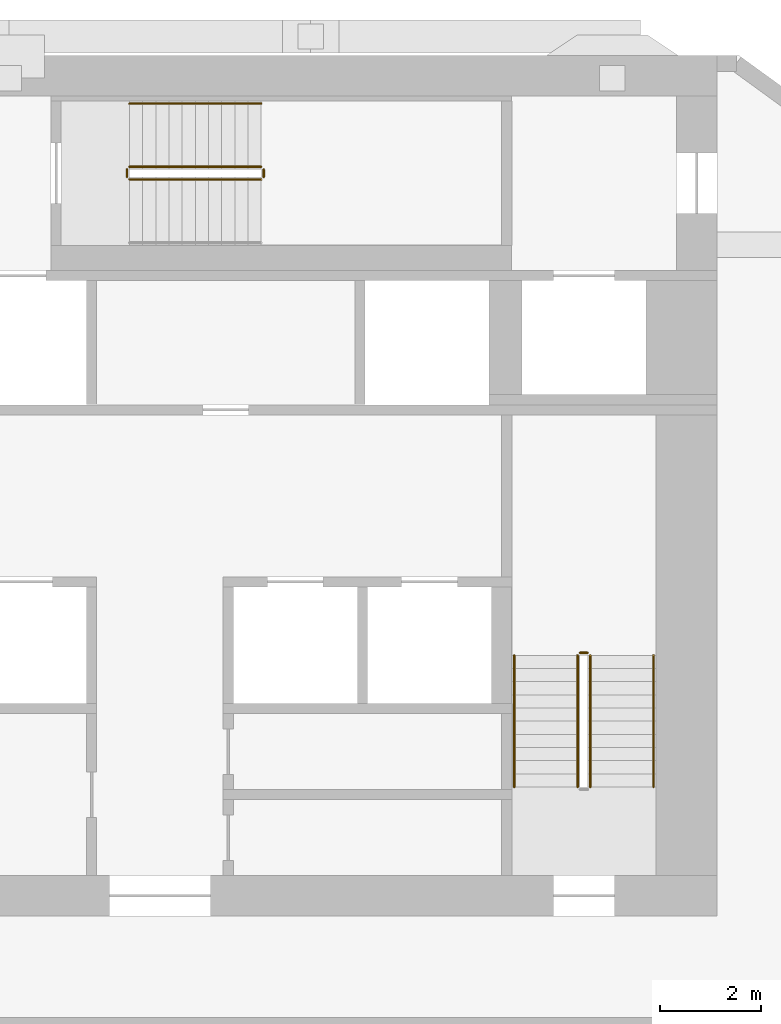
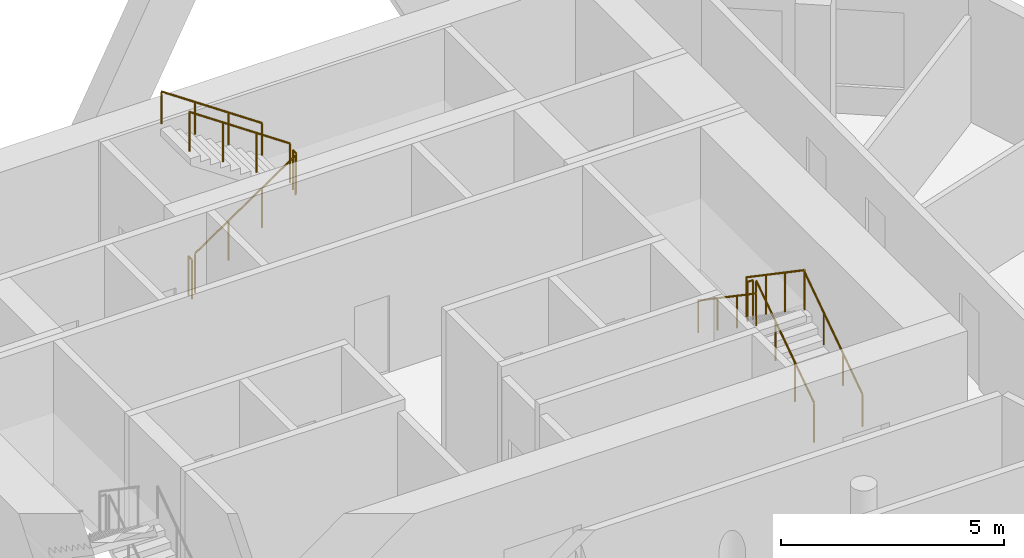
# One storey, part 10 of 10: 10 railings.
"""IFC4 building model written with IfcOpenShell, lengths in metres."""

from ifc_helpers import new_model, si_unit, direction, frame, origin, origin_2d, place, context, subcontext, project, spatial, circle, extrude, material, type_object, element, save


model = new_model("IFC4")

# Units and contexts
model_context = context("Model", 3, precision=1e-05, world=origin(), true_north=direction((0.0, 1.0)))
body_context = subcontext(model_context, "Body", "Model", "MODEL_VIEW")
ifc_project = project(units=[si_unit("LENGTHUNIT", "METRE"), si_unit("AREAUNIT", "SQUARE_METRE"), si_unit("VOLUMEUNIT", "CUBIC_METRE"), si_unit("PLANEANGLEUNIT", "RADIAN"), si_unit("MASSUNIT", "GRAM", prefix="KILO")], contexts=[model_context])

# Site, building, storey
site_placement = place(None, origin())
site = spatial("IfcSite", under=ifc_project, at=site_placement, CompositionType="ELEMENT")
building_placement = place(site_placement, origin())
building = spatial("IfcBuilding", under=site, at=building_placement, Name="White Candle Pilgrim Tower", CompositionType="ELEMENT")
storey_placement = place(building_placement, frame((0.0, 0.0, 219.89990234375)))
storey = spatial("IfcBuildingStorey", under=building, at=storey_placement, Name="L51", CompositionType="ELEMENT", Elevation=219.89990234375)

# Railings
ifc_material = material(Name="Stainless steel", Category="steel")
railing_type_1 = type_object("IfcRailingType", Name="Stair guard stainless steel 1100 mm", PredefinedType="GUARDRAIL", material=ifc_material)
railing_1_placement = place(storey_placement, frame((78.5, 73.550048828125, 0.177490234375)))
element("IfcRailing", 1, at=railing_1_placement, inside=storey, type_object=railing_type_1, Name="L51 ST2 stair guard 1", PredefinedType="GUARDRAIL", context=body_context, shape_type="SweptSolid", body=[
    extrude(circle(Radius=0.02392578125, at=origin_2d()), frame((0.0, 0.0, 1.076171875), z_axis=(0.0, 0.826215852431, 0.563353676824), x_axis=(-1.0, 0.0, 0.0)), (0.0, 0.0, 1.0), 3.146728515625),
    extrude(circle(Radius=0.02099609375, at=origin_2d()), origin(), (0.0, 0.0, 1.0), 1.052001953125),
    extrude(circle(Radius=0.02099609375, at=origin_2d()), frame((0.0, 0.86669921875, 0.5908203125)), (0.0, 0.0, 1.0), 1.052001953125),
    extrude(circle(Radius=0.02099609375, at=origin_2d()), frame((0.0, 1.733154296875, 1.181884765625)), (0.0, 0.0, 1.0), 1.052001953125),
    extrude(circle(Radius=0.02099609375, at=origin_2d()), frame((0.0, 2.599853515625, 1.772705078125)), (0.0, 0.0, 1.0), 1.052001953125),
])
railing_2_placement = place(storey_placement, frame((78.449951171875, 76.199951171875, 1.9501953125)))
element("IfcRailing", 2, at=railing_2_placement, inside=storey, type_object=railing_type_1, Name="L51 ST2 stair guard 2", PredefinedType="GUARDRAIL", context=body_context, shape_type="SweptSolid", body=[
    extrude(circle(Radius=0.02392578125, at=origin_2d()), frame((0.0, 0.0, 1.076171875), z_axis=(-1.0, 0.0, 0.0), x_axis=(0.0, -1.0, 0.0)), (0.0, 0.0, 1.0), 0.14990234375),
    extrude(circle(Radius=0.02099609375, at=origin_2d()), origin(), (0.0, 0.0, 1.0), 1.052001953125),
    extrude(circle(Radius=0.02099609375, at=origin_2d()), frame((-0.14990234375, 0.0, 0.0)), (0.0, 0.0, 1.0), 1.052001953125),
])
railing_3_placement = place(storey_placement, frame((78.25, 76.14990234375, 2.12744140625)))
element("IfcRailing", 3, at=railing_3_placement, inside=storey, type_object=railing_type_1, Name="L51 ST2 stair guard 3", PredefinedType="GUARDRAIL", context=body_context, shape_type="SweptSolid", body=[
    extrude(circle(Radius=0.02392578125, at=origin_2d()), frame((0.0, 0.0, 1.076171875), z_axis=(0.0, -0.826215852431, 0.563353676824), x_axis=(1.0, 0.0, 0.0)), (0.0, 0.0, 1.0), 3.146728515625),
    extrude(circle(Radius=0.02099609375, at=origin_2d()), origin(), (0.0, 0.0, 1.0), 1.052001953125),
    extrude(circle(Radius=0.02099609375, at=origin_2d()), frame((0.0, -0.86669921875, 0.5908203125)), (0.0, 0.0, 1.0), 1.052001953125),
    extrude(circle(Radius=0.02099609375, at=origin_2d()), frame((0.0, -1.733154296875, 1.181884765625)), (0.0, 0.0, 1.0), 1.052001953125),
    extrude(circle(Radius=0.02099609375, at=origin_2d()), frame((0.0, -2.599853515625, 1.772705078125)), (0.0, 0.0, 1.0), 1.052001953125),
])
railing_4_placement = place(storey_placement, frame((69.39990234375, 85.550048828125, 0.177490234375)))
element("IfcRailing", 4, at=railing_4_placement, inside=storey, type_object=railing_type_1, Name="L51 ST3 stair guard 1", PredefinedType="GUARDRAIL", context=body_context, shape_type="SweptSolid", body=[
    extrude(circle(Radius=0.02392578125, at=origin_2d()), frame((0.0, 0.0, 1.076171875), z_axis=(0.826240473404, 0.0, 0.563317565952), x_axis=(0.0, 1.0, 0.0)), (0.0, 0.0, 1.0), 3.14697265625),
    extrude(circle(Radius=0.02099609375, at=origin_2d()), origin(), (0.0, 0.0, 1.0), 1.052001953125),
    extrude(circle(Radius=0.02099609375, at=origin_2d()), frame((0.86669921875, 0.0, 0.5908203125)), (0.0, 0.0, 1.0), 1.052001953125),
    extrude(circle(Radius=0.02099609375, at=origin_2d()), frame((1.7333984375, 0.0, 1.181884765625)), (0.0, 0.0, 1.0), 1.052001953125),
    extrude(circle(Radius=0.02099609375, at=origin_2d()), frame((2.60009765625, 0.0, 1.772705078125)), (0.0, 0.0, 1.0), 1.052001953125),
])
railing_5_placement = place(storey_placement, frame((72.050048828125, 85.60009765625, 1.9501953125)))
element("IfcRailing", 5, at=railing_5_placement, inside=storey, type_object=railing_type_1, Name="L51 ST3 stair guard 2", PredefinedType="GUARDRAIL", context=body_context, shape_type="SweptSolid", body=[
    extrude(circle(Radius=0.02392578125, at=origin_2d()), frame((0.0, 0.0, 1.076171875), z_axis=(0.0, 1.0, 0.0), x_axis=(-1.0, 0.0, 0.0)), (0.0, 0.0, 1.0), 0.14990234375),
    extrude(circle(Radius=0.02099609375, at=origin_2d()), origin(), (0.0, 0.0, 1.0), 1.052001953125),
    extrude(circle(Radius=0.02099609375, at=origin_2d()), frame((0.0, 0.14990234375, 0.0)), (0.0, 0.0, 1.0), 1.052001953125),
])
railing_6_placement = place(storey_placement, frame((72.0, 85.800048828125, 2.12744140625)))
element("IfcRailing", 6, at=railing_6_placement, inside=storey, type_object=railing_type_1, Name="L51 ST3 stair guard 3", PredefinedType="GUARDRAIL", context=body_context, shape_type="SweptSolid", body=[
    extrude(circle(Radius=0.02392578125, at=origin_2d()), frame((0.0, 0.0, 1.076171875), z_axis=(-0.826240473404, 0.0, 0.563317565952), x_axis=(0.0, -1.0, 0.0)), (0.0, 0.0, 1.0), 3.14697265625),
    extrude(circle(Radius=0.02099609375, at=origin_2d()), origin(), (0.0, 0.0, 1.0), 1.052001953125),
    extrude(circle(Radius=0.02099609375, at=origin_2d()), frame((-0.86669921875, 0.0, 0.5908203125)), (0.0, 0.0, 1.0), 1.052001953125),
    extrude(circle(Radius=0.02099609375, at=origin_2d()), frame((-1.7333984375, 0.0, 1.181884765625)), (0.0, 0.0, 1.0), 1.052001953125),
    extrude(circle(Radius=0.02099609375, at=origin_2d()), frame((-2.60009765625, 0.0, 1.772705078125)), (0.0, 0.0, 1.0), 1.052001953125),
])
railing_7_placement = place(storey_placement, frame((69.35009765625, 85.60009765625, 0.0)))
element("IfcRailing", 7, at=railing_7_placement, inside=storey, type_object=railing_type_1, Name="L51 ST3 stair guard 4", PredefinedType="GUARDRAIL", context=body_context, shape_type="SweptSolid", body=[
    extrude(circle(Radius=0.02392578125, at=origin_2d()), frame((0.0, 0.0, 1.076171875), z_axis=(0.0, 1.0, 0.0), x_axis=(-1.0, 0.0, 0.0)), (0.0, 0.0, 1.0), 0.14990234375),
    extrude(circle(Radius=0.02099609375, at=origin_2d()), origin(), (0.0, 0.0, 1.0), 1.052001953125),
    extrude(circle(Radius=0.02099609375, at=origin_2d()), frame((0.0, 0.14990234375, 0.0)), (0.0, 0.0, 1.0), 1.052001953125),
])
railing_type_2 = type_object("IfcRailingType", Name="Stair handrail stainless steel", PredefinedType="HANDRAIL", material=ifc_material)
railing_8_placement = place(storey_placement, frame((79.75, 73.550048828125, 0.177490234375)))
element("IfcRailing", 8, at=railing_8_placement, inside=storey, type_object=railing_type_2, Name="L51 ST2 stair handrail 1", PredefinedType="HANDRAIL", context=body_context, shape_type="SweptSolid", body=[
    extrude(circle(Radius=0.02392578125, at=origin_2d()), frame((0.0, 0.0, 0.8759765625), z_axis=(0.0, 0.826215852431, 0.563353676824), x_axis=(-1.0, 0.0, 0.0)), (0.0, 0.0, 1.0), 3.146728515625),
    extrude(circle(Radius=0.02099609375, at=origin_2d()), origin(), (0.0, 0.0, 1.0), 0.851806640625),
    extrude(circle(Radius=0.02099609375, at=origin_2d()), frame((0.0, 0.86669921875, 0.5908203125)), (0.0, 0.0, 1.0), 0.851806640625),
    extrude(circle(Radius=0.02099609375, at=origin_2d()), frame((0.0, 1.733154296875, 1.181884765625)), (0.0, 0.0, 1.0), 0.851806640625),
    extrude(circle(Radius=0.02099609375, at=origin_2d()), frame((0.0, 2.599853515625, 1.772705078125)), (0.0, 0.0, 1.0), 0.851806640625),
])
railing_9_placement = place(storey_placement, frame((77.0, 76.14990234375, 2.12744140625)))
element("IfcRailing", 9, at=railing_9_placement, inside=storey, type_object=railing_type_2, Name="L51 ST2 stair handrail 2", PredefinedType="HANDRAIL", context=body_context, shape_type="SweptSolid", body=[
    extrude(circle(Radius=0.02392578125, at=origin_2d()), frame((0.0, 0.0, 0.8759765625), z_axis=(0.0, -0.826215852431, 0.563353676824), x_axis=(1.0, 0.0, 0.0)), (0.0, 0.0, 1.0), 3.146728515625),
    extrude(circle(Radius=0.02099609375, at=origin_2d()), origin(), (0.0, 0.0, 1.0), 0.851806640625),
    extrude(circle(Radius=0.02099609375, at=origin_2d()), frame((0.0, -0.86669921875, 0.5908203125)), (0.0, 0.0, 1.0), 0.851806640625),
    extrude(circle(Radius=0.02099609375, at=origin_2d()), frame((0.0, -1.733154296875, 1.181884765625)), (0.0, 0.0, 1.0), 0.851806640625),
    extrude(circle(Radius=0.02099609375, at=origin_2d()), frame((0.0, -2.599853515625, 1.772705078125)), (0.0, 0.0, 1.0), 0.851806640625),
])
railing_10_placement = place(storey_placement, frame((72.0, 87.050048828125, 2.12744140625)))
element("IfcRailing", 10, at=railing_10_placement, inside=storey, type_object=railing_type_2, Name="L51 ST3 stair handrail 2", PredefinedType="HANDRAIL", context=body_context, shape_type="SweptSolid", body=[
    extrude(circle(Radius=0.02392578125, at=origin_2d()), frame((0.0, 0.0, 0.8759765625), z_axis=(-0.826240473404, 0.0, 0.563317565952), x_axis=(0.0, -1.0, 0.0)), (0.0, 0.0, 1.0), 3.14697265625),
    extrude(circle(Radius=0.02099609375, at=origin_2d()), origin(), (0.0, 0.0, 1.0), 0.851806640625),
    extrude(circle(Radius=0.02099609375, at=origin_2d()), frame((-0.86669921875, 0.0, 0.5908203125)), (0.0, 0.0, 1.0), 0.851806640625),
    extrude(circle(Radius=0.02099609375, at=origin_2d()), frame((-1.7333984375, 0.0, 1.181884765625)), (0.0, 0.0, 1.0), 0.851806640625),
    extrude(circle(Radius=0.02099609375, at=origin_2d()), frame((-2.60009765625, 0.0, 1.772705078125)), (0.0, 0.0, 1.0), 0.851806640625),
])

save(model, "model.ifc")
